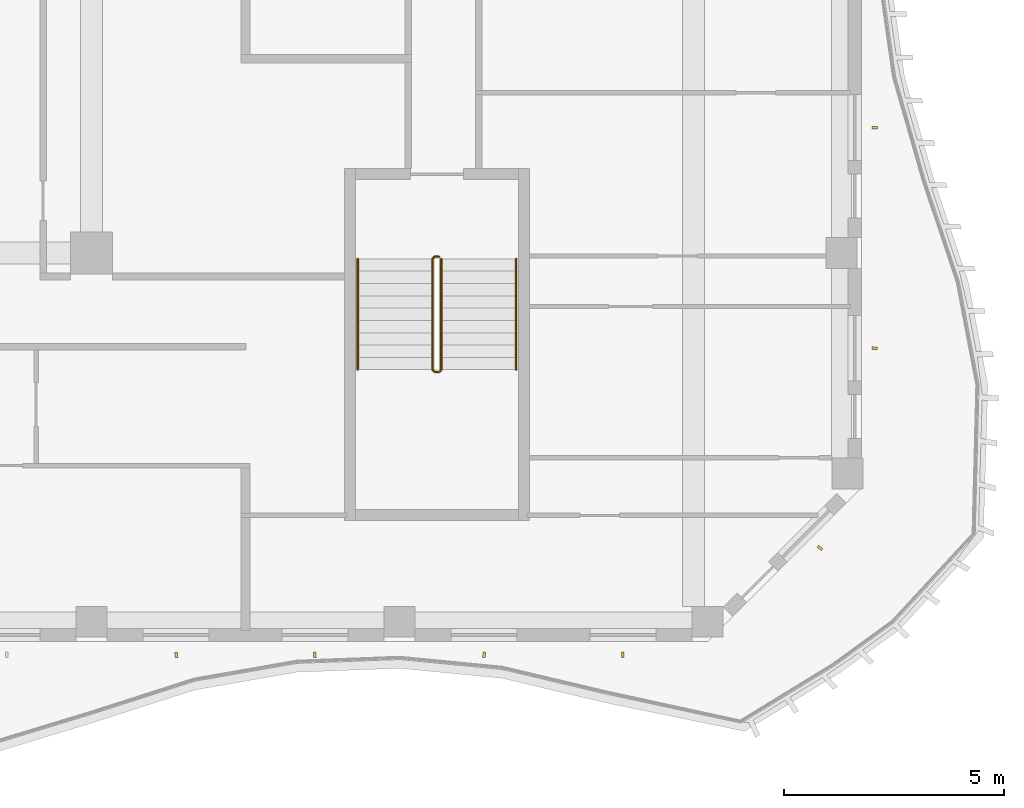
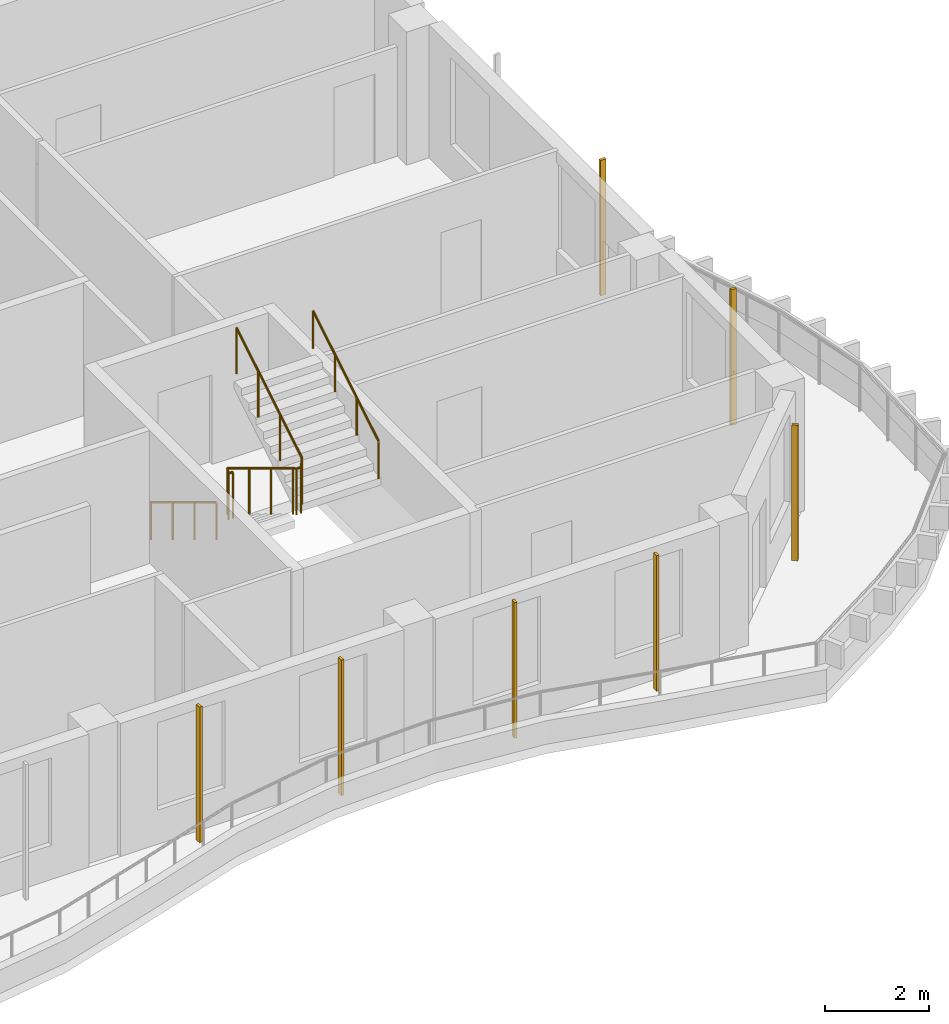
# One storey, part 15 of 18: 7 shading devices, 3 railings.
"""IFC4 building model written with IfcOpenShell, lengths in metres."""

from ifc_helpers import new_model, si_unit, direction, frame, origin, origin_2d, place, context, subcontext, project, spatial, rectangle, circle, extrude, source, transform, mapped, material, material_profile, profile_set, type_object, element, save


model = new_model("IFC4")

# Units and contexts
model_context = context("Model", 3, precision=1e-05, world=origin(), true_north=direction((0.0, 1.0)))
body_context = subcontext(model_context, "Body", "Model", "MODEL_VIEW")
ifc_project = project(units=[si_unit("LENGTHUNIT", "METRE"), si_unit("AREAUNIT", "SQUARE_METRE"), si_unit("VOLUMEUNIT", "CUBIC_METRE"), si_unit("PLANEANGLEUNIT", "RADIAN"), si_unit("MASSUNIT", "GRAM", prefix="KILO")], contexts=[model_context])

# Site, building, storey
site_placement = place(None, origin())
site = spatial("IfcSite", under=ifc_project, at=site_placement, CompositionType="ELEMENT")
building_placement = place(site_placement, origin())
building = spatial("IfcBuilding", under=site, at=building_placement, Name="Kilnfold Tower and Market Hall", CompositionType="ELEMENT")
storey_placement = place(building_placement, frame((0.0, 0.0, 256.0)))
storey = spatial("IfcBuildingStorey", under=building, at=storey_placement, Name="L62", CompositionType="ELEMENT", Elevation=256.0)

# Railings
ifc_material_1 = material(Name="Stainless steel 316", Category="steel")
railing_type_1 = type_object("IfcRailingType", Name="CORE STAIR GUARD 1100", PredefinedType="GUARDRAIL", material=ifc_material_1)
railing_1_placement = place(storey_placement, frame((19.89990234375, -9.75, 0.0)))
element("IfcRailing", 1, at=railing_1_placement, inside=storey, type_object=railing_type_1, Name="L62 ST4 stair guard 1", PredefinedType="GUARDRAIL", context=body_context, shape_type="SweptSolid", body=[
    extrude(circle(Radius=0.02392578125, at=origin_2d()), frame((0.0, 0.0, 1.076171875), z_axis=(-1.0, 0.0, 0.0), x_axis=(0.0, -1.0, 0.0)), (0.0, 0.0, 1.0), 0.099853515625),
    extrude(circle(Radius=0.02392578125, at=origin_2d()), frame((-0.099853515625, 0.0, 1.076171875), z_axis=(-0.271895245746, -0.271895245746, 0.923117517265), x_axis=(0.707106781187, -0.707106781187, 0.0)), (0.0, 0.0, 1.0), 0.18408203125),
    extrude(circle(Radius=0.02392578125, at=origin_2d()), frame((-0.14990234375, -0.050048828125, 1.24609375), z_axis=(0.0, -0.85478489116, 0.518982456201), x_axis=(1.0, 0.0, 0.0)), (0.0, 0.0, 1.0), 2.9482421875),
    extrude(circle(Radius=0.02392578125, at=origin_2d()), frame((-0.14990234375, -2.570068359375, 2.77587890625), z_axis=(0.707106781187, -0.707106781187, 0.0), x_axis=(0.707106781187, 0.707106781187, 0.0)), (0.0, 0.0, 1.0), 0.07080078125),
    extrude(circle(Radius=0.02392578125, at=origin_2d()), frame((-0.099853515625, -2.6201171875, 2.77587890625), z_axis=(1.0, 0.0, 0.0), x_axis=(0.0, 1.0, 0.0)), (0.0, 0.0, 1.0), 0.099853515625),
    extrude(circle(Radius=0.02392578125, at=origin_2d()), frame((0.0, -2.6201171875, 2.77587890625), z_axis=(0.271562723297, 0.271562723297, 0.923313259209), x_axis=(-0.707106781187, 0.707106781187, 0.0)), (0.0, 0.0, 1.0), 0.184326171875),
    extrude(circle(Radius=0.02392578125, at=origin_2d()), frame((0.050048828125, -2.570068359375, 2.9462890625), z_axis=(0.0, 0.854821627497, 0.518921945155), x_axis=(-1.0, 0.0, 0.0)), (0.0, 0.0, 1.0), 2.947998046875),
    extrude(circle(Radius=0.02099609375, at=origin_2d()), origin(), (0.0, 0.0, 1.0), 1.052001953125),
    extrude(circle(Radius=0.02099609375, at=origin_2d()), frame((-0.099853515625, 0.0, 0.0)), (0.0, 0.0, 1.0), 1.052001953125),
    extrude(circle(Radius=0.02099609375, at=origin_2d()), frame((-0.14990234375, -0.050048828125, 0.169921875)), (0.0, 0.0, 1.0), 1.052001953125),
    extrude(circle(Radius=0.02099609375, at=origin_2d()), frame((-0.14990234375, -0.89013671875, 0.679931640625)), (0.0, 0.0, 1.0), 1.052001953125),
    extrude(circle(Radius=0.02099609375, at=origin_2d()), frame((-0.14990234375, -1.72998046875, 1.18994140625)), (0.0, 0.0, 1.0), 1.052001953125),
    extrude(circle(Radius=0.02099609375, at=origin_2d()), frame((-0.14990234375, -2.570068359375, 1.699951171875)), (0.0, 0.0, 1.0), 1.052001953125),
    extrude(circle(Radius=0.02099609375, at=origin_2d()), frame((-0.099853515625, -2.6201171875, 1.699951171875)), (0.0, 0.0, 1.0), 1.052001953125),
    extrude(circle(Radius=0.02099609375, at=origin_2d()), frame((0.0, -2.6201171875, 1.699951171875)), (0.0, 0.0, 1.0), 1.052001953125),
    extrude(circle(Radius=0.02099609375, at=origin_2d()), frame((0.050048828125, -2.570068359375, 1.8701171875)), (0.0, 0.0, 1.0), 1.052001953125),
    extrude(circle(Radius=0.02099609375, at=origin_2d()), frame((0.050048828125, -1.72998046875, 2.380126953125)), (0.0, 0.0, 1.0), 1.052001953125),
    extrude(circle(Radius=0.02099609375, at=origin_2d()), frame((0.050048828125, -0.89013671875, 2.889892578125)), (0.0, 0.0, 1.0), 1.052001953125),
    extrude(circle(Radius=0.02099609375, at=origin_2d()), frame((0.050048828125, -0.050048828125, 3.39990234375)), (0.0, 0.0, 1.0), 1.052001953125),
])
ifc_material_2 = material(Name="Stainless steel 316", Category="steel")
railing_type_2 = type_object("IfcRailingType", Name="CORE STAIR HANDRAIL 900", PredefinedType="HANDRAIL", material=ifc_material_2)
railing_2_placement = place(storey_placement, frame((18.050048828125, -9.800048828125, 0.169921875)))
element("IfcRailing", 2, at=railing_2_placement, inside=storey, type_object=railing_type_2, Name="L62 ST4 stair handrail 1", PredefinedType="HANDRAIL", context=body_context, shape_type="SweptSolid", body=[
    extrude(circle(Radius=0.02392578125, at=origin_2d()), frame((0.0, 0.0, 0.8759765625), z_axis=(0.0, -0.85478489116, 0.518982456201), x_axis=(1.0, 0.0, 0.0)), (0.0, 0.0, 1.0), 2.9482421875),
    extrude(circle(Radius=0.02099609375, at=origin_2d()), origin(), (0.0, 0.0, 1.0), 0.851806640625),
    extrude(circle(Radius=0.02099609375, at=origin_2d()), frame((0.0, -0.840087890625, 0.510009765625)), (0.0, 0.0, 1.0), 0.851806640625),
    extrude(circle(Radius=0.02099609375, at=origin_2d()), frame((0.0, -1.679931640625, 1.02001953125)), (0.0, 0.0, 1.0), 0.851806640625),
    extrude(circle(Radius=0.02099609375, at=origin_2d()), frame((0.0, -2.52001953125, 1.530029296875)), (0.0, 0.0, 1.0), 0.851806640625),
])
railing_3_placement = place(storey_placement, frame((21.64990234375, -12.320068359375, 1.8701171875)))
element("IfcRailing", 3, at=railing_3_placement, inside=storey, type_object=railing_type_2, Name="L62 ST4 stair handrail 2", PredefinedType="HANDRAIL", context=body_context, shape_type="SweptSolid", body=[
    extrude(circle(Radius=0.02392578125, at=origin_2d()), frame((0.0, 0.0, 0.8759765625), z_axis=(0.0, 0.854821627497, 0.518921945155), x_axis=(-1.0, 0.0, 0.0)), (0.0, 0.0, 1.0), 2.947998046875),
    extrude(circle(Radius=0.02099609375, at=origin_2d()), origin(), (0.0, 0.0, 1.0), 0.851806640625),
    extrude(circle(Radius=0.02099609375, at=origin_2d()), frame((0.0, 0.840087890625, 0.510009765625)), (0.0, 0.0, 1.0), 0.851806640625),
    extrude(circle(Radius=0.02099609375, at=origin_2d()), frame((0.0, 1.679931640625, 1.019775390625)), (0.0, 0.0, 1.0), 0.851806640625),
    extrude(circle(Radius=0.02099609375, at=origin_2d()), frame((0.0, 2.52001953125, 1.52978515625)), (0.0, 0.0, 1.0), 0.851806640625),
])

# Shading devices
ifc_material_3 = material(Name="Terracotta", Category="masonry")
ifc_material_profile = material_profile(ifc_material_3, rectangle(XDim=0.06005859375, YDim=0.1201171875, at=origin_2d()), Name="BAG 60x120")
ifc_profile_set = profile_set([ifc_material_profile], Name="Terracotta")
shading_device_type = type_object("IfcShadingDeviceType", Name="BAGUETTE", PredefinedType="USERDEFINED", material=ifc_profile_set)
shared_shape = source(origin(), body_context, "Body", "SweptSolid", [
    extrude(rectangle(XDim=0.06005859375, YDim=0.1201171875, at=origin_2d()), origin(), (0.0, 0.0, 1.0), 3.179931640625),
])
for number, where, z_axis, x_axis, name in (
    (4, (13.925048828125, -18.800048828125, 0.0), (0.0, 0.0, 1.0), (0.990883775975, 0.134719495658, 0.0), "Terracotta baguette L62 S"),
    (5, (17.074951171875, -18.800048828125, 0.0), (0.0, 0.0, 1.0), (0.998440569322, 0.055824990209, 0.0), "Terracotta baguette L62 S"),
    (6, (20.925048828125, -18.800048828125, 0.0), (0.0, 0.0, 1.0), (0.990883775975, -0.134719495658, 0.0), "Terracotta baguette L62 S"),
    (7, (24.074951171875, -18.800048828125, 0.0), (0.0, 0.0, 1.0), (0.998440569322, -0.055824990209, 0.0), "Terracotta baguette L62 S"),
    (8, (28.554931640625, -16.369384765625, 0.0), (0.0, 0.0, 1.0), (0.609276395222, 0.792957927147, 0.0), "Terracotta baguette L62 SE"),
    (9, (29.800048828125, -11.831787109375, 0.0), (0.0, 0.0, 1.0), (0.1136627408, 0.993519391534, 0.0), "Terracotta baguette L62 E"),
    (10, (29.800048828125, -6.816650390625, 0.0), (0.0, 0.0, 1.0), (-0.008832996479, 0.999960988326, 0.0), "Terracotta baguette L62 E"),
):
    element("IfcShadingDevice", number, at=place(storey_placement, frame(where, z_axis=z_axis, x_axis=x_axis)), inside=storey, type_object=shading_device_type, Name=name, ObjectType="BAGUETTE", PredefinedType="USERDEFINED", context=body_context, shape_type="MappedRepresentation", body=[
        mapped(shared_shape, transform((0.0, 0.0, 0.0))),
    ])

save(model, "model.ifc")
